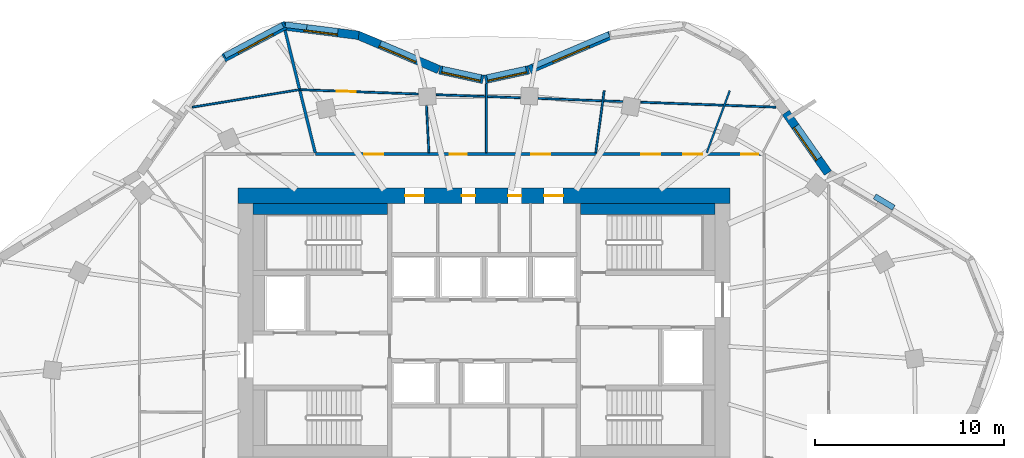
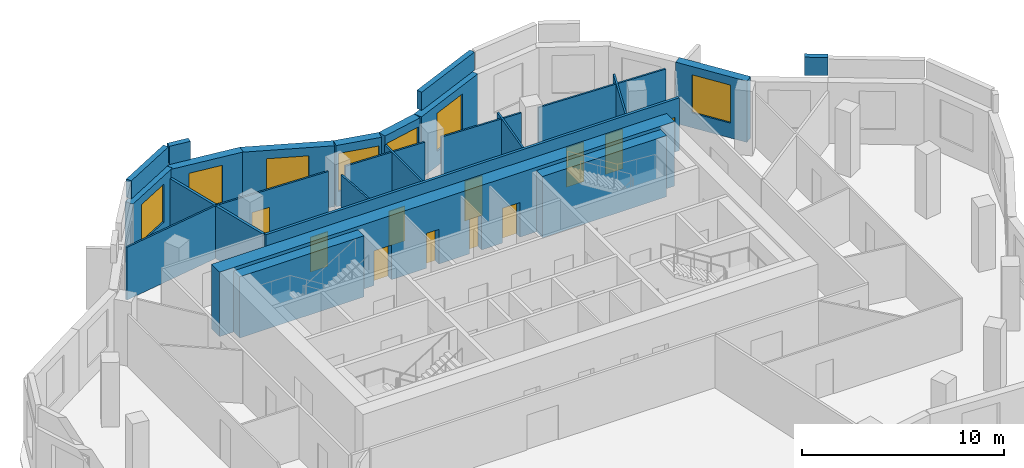
# One storey, part 7 of 9: 25 walls, 11 doors, 7 windows, 18 openings.
"""IFC4 building model written with IfcOpenShell, lengths in metres."""

from ifc_helpers import new_model, si_unit, direction, frame, frame_2d, origin, place, context, subcontext, project, spatial, rectangle, extrude, material, layer, layer_set, type_object, element, fill, save


model = new_model("IFC4")

# Units and contexts
model_context = context("Model", 3, precision=1e-05, world=origin(), true_north=direction((0.0, 1.0)))
body_context = subcontext(model_context, "Body", "Model", "MODEL_VIEW")
ifc_project = project(units=[si_unit("LENGTHUNIT", "METRE"), si_unit("AREAUNIT", "SQUARE_METRE"), si_unit("VOLUMEUNIT", "CUBIC_METRE"), si_unit("PLANEANGLEUNIT", "RADIAN"), si_unit("MASSUNIT", "GRAM", prefix="KILO")], contexts=[model_context])

# Site, building, storey
site_placement = place(None, origin())
site = spatial("IfcSite", under=ifc_project, at=site_placement, CompositionType="ELEMENT")
building_placement = place(site_placement, origin())
building = spatial("IfcBuilding", under=site, at=building_placement, Name="Rubra Terraces Tower", CompositionType="ELEMENT")
storey_placement = place(building_placement, frame((0.0, 0.0, 268.800048828125)))
storey = spatial("IfcBuildingStorey", under=building, at=storey_placement, Name="L66", CompositionType="ELEMENT", Elevation=268.800048828125)

# Wall, opening, window
ifc_material_1 = material(Name="Brick masonry red-brown", Category="masonry")
ifc_layer_1 = layer(ifc_material_1, 0.449951171875)
ifc_layer_set_1 = layer_set([ifc_layer_1], Name="Brick masonry red-brown")
wall_type_1 = type_object("IfcWallType", Name="Brick facade wall 450", PredefinedType="SOLIDWALL", material=ifc_layer_set_1)
wall_1_placement = place(storey_placement, frame((18.16259765625, 12.801025390625, 0.0), z_axis=(0.0, 0.0, 1.0), x_axis=(-0.57296578596, 0.819579287269, 0.0)))
wall_1 = element("IfcWall", 1, at=wall_1_placement, inside=storey, type_object=wall_type_1, Name="Facade wall L66 bay 5", PredefinedType="SOLIDWALL", context=body_context, shape_type="SweptSolid", body=[
    extrude(rectangle(XDim=3.89453125, YDim=0.449951171875, at=frame_2d((1.947265625, 0.0))), origin(), (0.0, 0.0, 1.0), 3.699951171875),
])
opening_1_placement = place(wall_1_placement, frame((0.897216796875, 0.0, 0.89990234375)))
opening_1 = element("IfcOpeningElement", 2, at=opening_1_placement, cuts=wall_1, Name="Opening W1B", PredefinedType="OPENING", context=body_context, shape_type="SweptSolid", body=[
    extrude(rectangle(XDim=2.10009765625, YDim=2.300048828125, at=frame_2d((1.050048828125, 1.14990234375))), frame((0.0, 0.23486328125, 0.0), z_axis=(0.0, -1.0, 0.0), x_axis=(1.0, 0.0, 0.0)), (0.0, 0.0, 1.0), 0.469970703125),
])
ifc_material_2 = material(Name="Clear glass in aluminium frame", Category="aluminium")
window_type_1 = type_object("IfcWindowType", Name="Fixed deep-set window tall storey 2100 x 2300", PartitioningType="SINGLE_PANEL", PredefinedType="WINDOW", material=ifc_material_2)
window_1_placement = place(opening_1_placement, origin())
window_1 = element("IfcWindow", 3, at=window_1_placement, inside=storey, type_object=window_type_1, Name="Window L66 bay 5", OverallHeight=2.300048828125, OverallWidth=2.10009765625, PartitioningType="SINGLE_PANEL", PredefinedType="WINDOW", context=body_context, shape_type="SweptSolid", body=[
    extrude(rectangle(XDim=2.10009765625, YDim=2.300048828125, at=frame_2d((1.050048828125, 1.14990234375))), frame((0.0, 0.135009765625, 0.0), z_axis=(0.0, -1.0, 0.0), x_axis=(1.0, 0.0, 0.0)), (0.0, 0.0, 1.0), 0.06005859375),
])
fill(opening_1, window_1)

wall_2_placement = place(storey_placement, frame((6.68212890625, 20.0859375, 0.0), z_axis=(0.0, 0.0, 1.0), x_axis=(-0.920066650468, -0.391761864781, 0.0)))
wall_2 = element("IfcWall", 4, at=wall_2_placement, inside=storey, type_object=wall_type_1, Name="Facade wall L66 bay 9", PredefinedType="SOLIDWALL", context=body_context, shape_type="SweptSolid", body=[
    extrude(rectangle(XDim=4.65966796875, YDim=0.449951171875, at=frame_2d((2.329833984375, 0.0))), origin(), (0.0, 0.0, 1.0), 3.699951171875),
])
opening_2_placement = place(wall_2_placement, frame((1.27978515625, 0.0, 0.89990234375)))
opening_2 = element("IfcOpeningElement", 5, at=opening_2_placement, cuts=wall_2, Name="Opening W1B", PredefinedType="OPENING", context=body_context, shape_type="SweptSolid", body=[
    extrude(rectangle(XDim=2.10009765625, YDim=2.300048828125, at=frame_2d((1.050048828125, 1.14990234375))), frame((0.0, 0.23486328125, 0.0), z_axis=(0.0, -1.0, 0.0), x_axis=(1.0, 0.0, 0.0)), (0.0, 0.0, 1.0), 0.469970703125),
])
window_2_placement = place(opening_2_placement, origin())
window_2 = element("IfcWindow", 6, at=window_2_placement, inside=storey, type_object=window_type_1, Name="Window L66 bay 9", OverallHeight=2.300048828125, OverallWidth=2.10009765625, PartitioningType="SINGLE_PANEL", PredefinedType="WINDOW", context=body_context, shape_type="SweptSolid", body=[
    extrude(rectangle(XDim=2.10009765625, YDim=2.300048828125, at=frame_2d((1.050048828125, 1.14990234375))), frame((0.0, 0.135009765625, 0.0), z_axis=(0.0, -1.0, 0.0), x_axis=(1.0, 0.0, 0.0)), (0.0, 0.0, 1.0), 0.06005859375),
])
fill(opening_2, window_2)

wall_3_placement = place(storey_placement, frame((2.35498046875, 18.247802734375, 0.0), z_axis=(0.0, 0.0, 1.0), x_axis=(-0.976877755098, -0.213798623933, 0.0)))
wall_3 = element("IfcWall", 7, at=wall_3_placement, inside=storey, type_object=wall_type_1, Name="Facade wall L66 bay 10", PredefinedType="SOLIDWALL", context=body_context, shape_type="SweptSolid", body=[
    extrude(rectangle(XDim=2.361572265625, YDim=0.449951171875, at=frame_2d((1.1806640625, 0.0))), origin(), (0.0, 0.0, 1.0), 3.699951171875),
])
opening_3_placement = place(wall_3_placement, frame((0.130615234375, 0.0, 0.89990234375)))
opening_3 = element("IfcOpeningElement", 8, at=opening_3_placement, cuts=wall_3, Name="Opening W1B", PredefinedType="OPENING", context=body_context, shape_type="SweptSolid", body=[
    extrude(rectangle(XDim=2.10009765625, YDim=2.300048828125, at=frame_2d((1.050048828125, 1.14990234375))), frame((0.0, 0.23486328125, 0.0), z_axis=(0.0, -1.0, 0.0), x_axis=(1.0, 0.0, 0.0)), (0.0, 0.0, 1.0), 0.469970703125),
])
window_3_placement = place(opening_3_placement, origin())
window_3 = element("IfcWindow", 9, at=window_3_placement, inside=storey, type_object=window_type_1, Name="Window L66 bay 10", OverallHeight=2.300048828125, OverallWidth=2.10009765625, PartitioningType="SINGLE_PANEL", PredefinedType="WINDOW", context=body_context, shape_type="SweptSolid", body=[
    extrude(rectangle(XDim=2.10009765625, YDim=2.300048828125, at=frame_2d((1.050048828125, 1.14990234375))), frame((0.0, 0.135009765625, 0.0), z_axis=(0.0, -1.0, 0.0), x_axis=(1.0, 0.0, 0.0)), (0.0, 0.0, 1.0), 0.06005859375),
])
fill(opening_3, window_3)

wall_4_placement = place(storey_placement, frame((-0.048095703125, 17.742919921875, 0.0), z_axis=(0.0, 0.0, 1.0), x_axis=(-0.976877755098, 0.213798623933, 0.0)))
wall_4 = element("IfcWall", 10, at=wall_4_placement, inside=storey, type_object=wall_type_1, Name="Facade wall L66 bay 11", PredefinedType="SOLIDWALL", context=body_context, shape_type="SweptSolid", body=[
    extrude(rectangle(XDim=2.361572265625, YDim=0.449951171875, at=frame_2d((1.1806640625, 0.0))), origin(), (0.0, 0.0, 1.0), 3.699951171875),
])
opening_4_placement = place(wall_4_placement, frame((0.130615234375, 0.0, 0.89990234375)))
opening_4 = element("IfcOpeningElement", 11, at=opening_4_placement, cuts=wall_4, Name="Opening W1B", PredefinedType="OPENING", context=body_context, shape_type="SweptSolid", body=[
    extrude(rectangle(XDim=2.10009765625, YDim=2.300048828125, at=frame_2d((1.050048828125, 1.14990234375))), frame((0.0, 0.23486328125, 0.0), z_axis=(0.0, -1.0, 0.0), x_axis=(1.0, 0.0, 0.0)), (0.0, 0.0, 1.0), 0.469970703125),
])
window_4_placement = place(opening_4_placement, origin())
window_4 = element("IfcWindow", 12, at=window_4_placement, inside=storey, type_object=window_type_1, Name="Window L66 bay 11", OverallHeight=2.300048828125, OverallWidth=2.10009765625, PartitioningType="SINGLE_PANEL", PredefinedType="WINDOW", context=body_context, shape_type="SweptSolid", body=[
    extrude(rectangle(XDim=2.10009765625, YDim=2.300048828125, at=frame_2d((1.050048828125, 1.14990234375))), frame((0.0, 0.135009765625, 0.0), z_axis=(0.0, -1.0, 0.0), x_axis=(1.0, 0.0, 0.0)), (0.0, 0.0, 1.0), 0.06005859375),
])
fill(opening_4, window_4)

wall_5_placement = place(storey_placement, frame((-2.39501953125, 18.260498046875, 0.0), z_axis=(0.0, 0.0, 1.0), x_axis=(-0.920066650468, 0.391761864781, 0.0)))
wall_5 = element("IfcWall", 13, at=wall_5_placement, inside=storey, type_object=wall_type_1, Name="Facade wall L66 bay 12", PredefinedType="SOLIDWALL", context=body_context, shape_type="SweptSolid", body=[
    extrude(rectangle(XDim=4.65966796875, YDim=0.449951171875, at=frame_2d((2.329833984375, 0.0))), origin(), (0.0, 0.0, 1.0), 3.699951171875),
])
opening_5_placement = place(wall_5_placement, frame((1.27978515625, 0.0, 0.89990234375)))
opening_5 = element("IfcOpeningElement", 14, at=opening_5_placement, cuts=wall_5, Name="Opening W1B", PredefinedType="OPENING", context=body_context, shape_type="SweptSolid", body=[
    extrude(rectangle(XDim=2.10009765625, YDim=2.300048828125, at=frame_2d((1.050048828125, 1.14990234375))), frame((0.0, 0.23486328125, 0.0), z_axis=(0.0, -1.0, 0.0), x_axis=(1.0, 0.0, 0.0)), (0.0, 0.0, 1.0), 0.469970703125),
])
window_5_placement = place(opening_5_placement, origin())
window_5 = element("IfcWindow", 15, at=window_5_placement, inside=storey, type_object=window_type_1, Name="Window L66 bay 12", OverallHeight=2.300048828125, OverallWidth=2.10009765625, PartitioningType="SINGLE_PANEL", PredefinedType="WINDOW", context=body_context, shape_type="SweptSolid", body=[
    extrude(rectangle(XDim=2.10009765625, YDim=2.300048828125, at=frame_2d((1.050048828125, 1.14990234375))), frame((0.0, 0.135009765625, 0.0), z_axis=(0.0, -1.0, 0.0), x_axis=(1.0, 0.0, 0.0)), (0.0, 0.0, 1.0), 0.06005859375),
])
fill(opening_5, window_5)

wall_6_placement = place(storey_placement, frame((-6.622314453125, 20.06982421875, 0.0), z_axis=(0.0, 0.0, 1.0), x_axis=(-0.992109407201, 0.125375133674, 0.0)))
wall_6 = element("IfcWall", 16, at=wall_6_placement, inside=storey, type_object=wall_type_1, Name="Facade wall L66 bay 13", PredefinedType="SOLIDWALL", context=body_context, shape_type="SweptSolid", body=[
    extrude(rectangle(XDim=4.03466796875, YDim=0.449951171875, at=frame_2d((2.017333984375, 0.0))), origin(), (0.0, 0.0, 1.0), 3.699951171875),
])
opening_6_placement = place(wall_6_placement, frame((1.117431640625, 0.0, 0.89990234375)))
opening_6 = element("IfcOpeningElement", 17, at=opening_6_placement, cuts=wall_6, Name="Opening W6B", PredefinedType="OPENING", context=body_context, shape_type="SweptSolid", body=[
    extrude(rectangle(XDim=1.800048828125, YDim=2.300048828125, at=frame_2d((0.89990234375, 1.14990234375))), frame((0.0, 0.23486328125, 0.0), z_axis=(0.0, -1.0, 0.0), x_axis=(1.0, 0.0, 0.0)), (0.0, 0.0, 1.0), 0.469970703125),
])
window_type_2 = type_object("IfcWindowType", Name="Fixed deep-set window at wind fin tall storey 1800 x 2300", PartitioningType="SINGLE_PANEL", PredefinedType="WINDOW", material=ifc_material_2)
window_6_placement = place(opening_6_placement, origin())
window_6 = element("IfcWindow", 18, at=window_6_placement, inside=storey, type_object=window_type_2, Name="Window L66 bay 13", OverallHeight=2.300048828125, OverallWidth=1.800048828125, PartitioningType="SINGLE_PANEL", PredefinedType="WINDOW", context=body_context, shape_type="SweptSolid", body=[
    extrude(rectangle(XDim=1.800048828125, YDim=2.300048828125, at=frame_2d((0.89990234375, 1.14990234375))), frame((0.0, 0.135009765625, 0.0), z_axis=(0.0, -1.0, 0.0), x_axis=(1.0, 0.0, 0.0)), (0.0, 0.0, 1.0), 0.06005859375),
])
fill(opening_6, window_6)

wall_7_placement = place(storey_placement, frame((-10.49169921875, 20.60009765625, 0.0), z_axis=(0.0, 0.0, 1.0), x_axis=(-0.883502778071, -0.46842591852, 0.0)))
wall_7 = element("IfcWall", 19, at=wall_7_placement, inside=storey, type_object=wall_type_1, Name="Facade wall L66 bay 14", PredefinedType="SOLIDWALL", context=body_context, shape_type="SweptSolid", body=[
    extrude(rectangle(XDim=3.6884765625, YDim=0.449951171875, at=frame_2d((1.84423828125, 0.0))), origin(), (0.0, 0.0, 1.0), 3.699951171875),
])
opening_7_placement = place(wall_7_placement, frame((0.79443359375, 0.0, 0.89990234375)))
opening_7 = element("IfcOpeningElement", 20, at=opening_7_placement, cuts=wall_7, Name="Opening W1B", PredefinedType="OPENING", context=body_context, shape_type="SweptSolid", body=[
    extrude(rectangle(XDim=2.10009765625, YDim=2.300048828125, at=frame_2d((1.050048828125, 1.14990234375))), frame((0.0, 0.23486328125, 0.0), z_axis=(0.0, -1.0, 0.0), x_axis=(1.0, 0.0, 0.0)), (0.0, 0.0, 1.0), 0.469970703125),
])
window_7_placement = place(opening_7_placement, origin())
window_7 = element("IfcWindow", 21, at=window_7_placement, inside=storey, type_object=window_type_1, Name="Window L66 bay 14", OverallHeight=2.300048828125, OverallWidth=2.10009765625, PartitioningType="SINGLE_PANEL", PredefinedType="WINDOW", context=body_context, shape_type="SweptSolid", body=[
    extrude(rectangle(XDim=2.10009765625, YDim=2.300048828125, at=frame_2d((1.050048828125, 1.14990234375))), frame((0.0, 0.135009765625, 0.0), z_axis=(0.0, -1.0, 0.0), x_axis=(1.0, 0.0, 0.0)), (0.0, 0.0, 1.0), 0.06005859375),
])
fill(opening_7, window_7)

# Walls
ifc_layer_2 = layer(ifc_material_1, 0.300048828125)
ifc_layer_set_2 = layer_set([ifc_layer_2], Name="Brick masonry red-brown")
wall_type_2 = type_object("IfcWallType", Name="Brick parapet 300", PredefinedType="PARAPET", material=ifc_layer_set_2)
wall_8_placement = place(storey_placement, frame((21.631103515625, 10.964599609375, 3.89990234375), z_axis=(0.0, 0.0, 1.0), x_axis=(-0.857953615481, 0.513727158795, 0.0)))
element("IfcWall", 22, at=wall_8_placement, inside=storey, type_object=wall_type_2, Name="Parapet L66 bay 4", PredefinedType="PARAPET", context=body_context, shape_type="SweptSolid", body=[
    extrude(rectangle(XDim=1.168212890625, YDim=0.300048828125, at=frame_2d((0.583984375, 0.0))), origin(), (0.0, 0.0, 1.0), 1.10009765625),
])
wall_9_placement = place(storey_placement, frame((6.586669921875, 20.126953125, 3.89990234375), z_axis=(0.0, 0.0, 1.0), x_axis=(-0.920058392097, -0.39178125929, 0.0)))
element("IfcWall", 23, at=wall_9_placement, inside=storey, type_object=wall_type_2, Name="Parapet L66 bay 9", PredefinedType="PARAPET", context=body_context, shape_type="SweptSolid", body=[
    extrude(rectangle(XDim=4.357177734375, YDim=0.300048828125, at=frame_2d((2.1787109375, 0.0))), origin(), (0.0, 0.0, 1.0), 1.10009765625),
])
wall_10_placement = place(storey_placement, frame((-9.365966796875, 20.4921875, 3.89990234375), z_axis=(0.0, 0.0, 1.0), x_axis=(-0.992101446216, 0.125438113889, 0.0)))
element("IfcWall", 24, at=wall_10_placement, inside=storey, type_object=wall_type_2, Name="Parapet L66 bay 13", PredefinedType="PARAPET", context=body_context, shape_type="SweptSolid", body=[
    extrude(rectangle(XDim=1.134765625, YDim=0.300048828125, at=frame_2d((0.5673828125, 0.0))), origin(), (0.0, 0.0, 1.0), 1.10009765625),
])
wall_11_placement = place(storey_placement, frame((-10.63720703125, 20.60791015625, 3.89990234375), z_axis=(0.0, 0.0, 1.0), x_axis=(-0.88348638041, -0.468456845003, 0.0)))
element("IfcWall", 25, at=wall_11_placement, inside=storey, type_object=wall_type_2, Name="Parapet L66 bay 14", PredefinedType="PARAPET", context=body_context, shape_type="SweptSolid", body=[
    extrude(rectangle(XDim=3.46826171875, YDim=0.300048828125, at=frame_2d((1.734130859375, 0.0))), origin(), (0.0, 0.0, 1.0), 1.10009765625),
])

# Wall, openings, doors
ifc_material_3 = material(Name="Concrete C50", Category="concrete")
ifc_layer_3 = layer(ifc_material_3, 0.800048828125)
ifc_layer_set_3 = layer_set([ifc_layer_3], Name="Concrete C50")
wall_type_3 = type_object("IfcWallType", Name="CORE WALL 800 C50", PredefinedType="SHEAR", material=ifc_layer_set_3)
wall_12_placement = place(storey_placement, frame((-13.0, 11.60009765625, 0.0), z_axis=(0.0, 0.0, 1.0), x_axis=(1.0, 0.0, 0.0)))
wall_12 = element("IfcWall", 26, at=wall_12_placement, inside=storey, type_object=wall_type_3, Name="CORE WALL N L66", PredefinedType="SHEAR", context=body_context, shape_type="SweptSolid", body=[
    extrude(rectangle(XDim=26.0, YDim=0.800048828125, at=frame_2d((13.0, 0.0))), origin(), (0.0, 0.0, 1.0), 3.89990234375),
])
opening_8_placement = place(wall_12_placement, frame((8.824951171875, 0.0, 0.0)))
opening_8 = element("IfcOpeningElement", 27, at=opening_8_placement, cuts=wall_12, Name="Opening L66.C25", PredefinedType="OPENING", context=body_context, shape_type="SweptSolid", body=[
    extrude(rectangle(XDim=1.0, YDim=2.10009765625, at=frame_2d((0.5, 1.050048828125))), frame((0.0, 0.409912109375, 0.0), z_axis=(0.0, -1.0, 0.0), x_axis=(1.0, 0.0, 0.0)), (0.0, 0.0, 1.0), 0.820068359375),
])
opening_9_placement = place(wall_12_placement, frame((11.824951171875, 0.0, 0.0)))
opening_9 = element("IfcOpeningElement", 28, at=opening_9_placement, cuts=wall_12, Name="Opening L66.C26", PredefinedType="OPENING", context=body_context, shape_type="SweptSolid", body=[
    extrude(rectangle(XDim=0.699951171875, YDim=2.10009765625, at=frame_2d((0.35009765625, 1.050048828125))), frame((0.0, 0.409912109375, 0.0), z_axis=(0.0, -1.0, 0.0), x_axis=(1.0, 0.0, 0.0)), (0.0, 0.0, 1.0), 0.820068359375),
])
opening_10_placement = place(wall_12_placement, frame((14.27490234375, 0.0, 0.0)))
opening_10 = element("IfcOpeningElement", 29, at=opening_10_placement, cuts=wall_12, Name="Opening L66.C27", PredefinedType="OPENING", context=body_context, shape_type="SweptSolid", body=[
    extrude(rectangle(XDim=0.699951171875, YDim=2.10009765625, at=frame_2d((0.35009765625, 1.050048828125))), frame((0.0, 0.409912109375, 0.0), z_axis=(0.0, -1.0, 0.0), x_axis=(1.0, 0.0, 0.0)), (0.0, 0.0, 1.0), 0.820068359375),
])
opening_11_placement = place(wall_12_placement, frame((16.175048828125, 0.0, 0.0)))
opening_11 = element("IfcOpeningElement", 30, at=opening_11_placement, cuts=wall_12, Name="Opening L66.C28", PredefinedType="OPENING", context=body_context, shape_type="SweptSolid", body=[
    extrude(rectangle(XDim=1.0, YDim=2.10009765625, at=frame_2d((0.5, 1.050048828125))), frame((0.0, 0.409912109375, 0.0), z_axis=(0.0, -1.0, 0.0), x_axis=(1.0, 0.0, 0.0)), (0.0, 0.0, 1.0), 0.820068359375),
])
ifc_material_4 = material(Name="Painted steel", Category="steel")
door_type_1 = type_object("IfcDoorType", Name="Fire door 1000x2100 single", OperationType="NOTDEFINED", PredefinedType="DOOR", material=ifc_material_4)
door_1_placement = place(opening_8_placement, origin())
door_1 = element("IfcDoor", 31, at=door_1_placement, inside=storey, type_object=door_type_1, Name="Security and building control room door", OperationType="SINGLE_SWING_LEFT", OverallHeight=2.10009765625, OverallWidth=1.0, PredefinedType="DOOR", context=body_context, shape_type="SweptSolid", body=[
    extrude(rectangle(XDim=1.0, YDim=2.10009765625, at=frame_2d((0.5, 1.050048828125))), frame((0.0, 0.02490234375, 0.0), z_axis=(0.0, -1.0, 0.0), x_axis=(1.0, 0.0, 0.0)), (0.0, 0.0, 1.0), 0.050048828125),
])
fill(opening_8, door_1)
door_2_placement = place(opening_11_placement, origin())
door_2 = element("IfcDoor", 32, at=door_2_placement, inside=storey, type_object=door_type_1, Name="Guest pantry door", OperationType="SINGLE_SWING_RIGHT", OverallHeight=2.10009765625, OverallWidth=1.0, PredefinedType="DOOR", context=body_context, shape_type="SweptSolid", body=[
    extrude(rectangle(XDim=1.0, YDim=2.10009765625, at=frame_2d((0.5, 1.050048828125))), frame((0.0, 0.02490234375, 0.0), z_axis=(0.0, -1.0, 0.0), x_axis=(1.0, 0.0, 0.0)), (0.0, 0.0, 1.0), 0.050048828125),
])
fill(opening_11, door_2)
door_type_2 = type_object("IfcDoorType", Name="Riser access door 700x2100 single", OperationType="NOTDEFINED", PredefinedType="DOOR", material=ifc_material_4)
door_3_placement = place(opening_9_placement, origin())
door_3 = element("IfcDoor", 33, at=door_3_placement, inside=storey, type_object=door_type_2, Name="Telecoms room door", OperationType="SINGLE_SWING_RIGHT", OverallHeight=2.10009765625, OverallWidth=0.699951171875, PredefinedType="DOOR", context=body_context, shape_type="SweptSolid", body=[
    extrude(rectangle(XDim=0.699951171875, YDim=2.10009765625, at=frame_2d((0.35009765625, 1.050048828125))), frame((0.0, 0.02490234375, 0.0), z_axis=(0.0, -1.0, 0.0), x_axis=(1.0, 0.0, 0.0)), (0.0, 0.0, 1.0), 0.050048828125),
])
fill(opening_9, door_3)
door_4_placement = place(opening_10_placement, origin())
door_4 = element("IfcDoor", 34, at=door_4_placement, inside=storey, type_object=door_type_2, Name="Water and drainage riser door", OperationType="SINGLE_SWING_LEFT", OverallHeight=2.10009765625, OverallWidth=0.699951171875, PredefinedType="DOOR", context=body_context, shape_type="SweptSolid", body=[
    extrude(rectangle(XDim=0.699951171875, YDim=2.10009765625, at=frame_2d((0.35009765625, 1.050048828125))), frame((0.0, 0.02490234375, 0.0), z_axis=(0.0, -1.0, 0.0), x_axis=(1.0, 0.0, 0.0)), (0.0, 0.0, 1.0), 0.050048828125),
])
fill(opening_10, door_4)

ifc_material_5 = material(Name="Plasterboard on steel stud, mineral wool infill", Category="steel")
ifc_layer_4 = layer(ifc_material_5, 0.14990234375)
ifc_layer_set_4 = layer_set([ifc_layer_4], Name="Plasterboard on steel stud, mineral wool infill")
wall_type_4 = type_object("IfcWallType", Name="CORRIDOR PARTITION 150", PredefinedType="PARTITIONING", material=ifc_layer_set_4)
wall_13_placement = place(storey_placement, frame((14.72509765625, 13.800048828125, 0.0), z_axis=(0.0, 0.0, 1.0), x_axis=(-1.0, 0.0, 0.0)))
wall_13 = element("IfcWall", 35, at=wall_13_placement, inside=storey, type_object=wall_type_4, Name="PARTITION", PredefinedType="PARTITIONING", context=body_context, shape_type="SweptSolid", body=[
    extrude(rectangle(XDim=23.627197265625, YDim=0.14990234375, at=frame_2d((11.8134765625, 0.0))), origin(), (0.0, 0.0, 1.0), 3.197998046875),
])
opening_12_placement = place(wall_13_placement, frame((3.199951171875, 0.0, 0.0)))
opening_12 = element("IfcOpeningElement", 36, at=opening_12_placement, cuts=wall_13, Name="Opening 66-102", PredefinedType="OPENING", context=body_context, shape_type="SweptSolid", body=[
    extrude(rectangle(XDim=1.0, YDim=2.39990234375, at=frame_2d((0.5, 1.199951171875))), frame((0.0, 0.0849609375, 0.0), z_axis=(0.0, -1.0, 0.0), x_axis=(1.0, 0.0, 0.0)), (0.0, 0.0, 1.0), 0.169921875),
])
opening_13_placement = place(wall_13_placement, frame((5.4140625, 0.0, 0.0)))
opening_13 = element("IfcOpeningElement", 37, at=opening_13_placement, cuts=wall_13, Name="Opening 66-103", PredefinedType="OPENING", context=body_context, shape_type="SweptSolid", body=[
    extrude(rectangle(XDim=1.0, YDim=2.39990234375, at=frame_2d((0.5, 1.199951171875))), frame((0.0, 0.0849609375, 0.0), z_axis=(0.0, -1.0, 0.0), x_axis=(1.0, 0.0, 0.0)), (0.0, 0.0, 1.0), 0.169921875),
])
opening_14_placement = place(wall_13_placement, frame((11.220947265625, 0.0, 0.0)))
opening_14 = element("IfcOpeningElement", 38, at=opening_14_placement, cuts=wall_13, Name="Opening 66-104", PredefinedType="OPENING", context=body_context, shape_type="SweptSolid", body=[
    extrude(rectangle(XDim=1.0, YDim=2.39990234375, at=frame_2d((0.5, 1.199951171875))), frame((0.0, 0.0849609375, 0.0), z_axis=(0.0, -1.0, 0.0), x_axis=(1.0, 0.0, 0.0)), (0.0, 0.0, 1.0), 0.169921875),
])
opening_15_placement = place(wall_13_placement, frame((0.25, 0.0, 0.0)))
opening_15 = element("IfcOpeningElement", 39, at=opening_15_placement, cuts=wall_13, Name="Opening 66-115", PredefinedType="OPENING", context=body_context, shape_type="SweptSolid", body=[
    extrude(rectangle(XDim=0.89990234375, YDim=2.10009765625, at=frame_2d((0.449951171875, 1.050048828125))), frame((0.0, 0.0849609375, 0.0), z_axis=(0.0, -1.0, 0.0), x_axis=(1.0, 0.0, 0.0)), (0.0, 0.0, 1.0), 0.169921875),
])
opening_16_placement = place(wall_13_placement, frame((15.64990234375, 0.0, 0.0)))
opening_16 = element("IfcOpeningElement", 40, at=opening_16_placement, cuts=wall_13, Name="Opening 66-116", PredefinedType="OPENING", context=body_context, shape_type="SweptSolid", body=[
    extrude(rectangle(XDim=0.89990234375, YDim=2.10009765625, at=frame_2d((0.449951171875, 1.050048828125))), frame((0.0, 0.0849609375, 0.0), z_axis=(0.0, -1.0, 0.0), x_axis=(1.0, 0.0, 0.0)), (0.0, 0.0, 1.0), 0.169921875),
])
opening_17_placement = place(wall_13_placement, frame((20.050048828125, 0.0, 0.0)))
opening_17 = element("IfcOpeningElement", 41, at=opening_17_placement, cuts=wall_13, Name="Opening 66-117", PredefinedType="OPENING", context=body_context, shape_type="SweptSolid", body=[
    extrude(rectangle(XDim=1.0, YDim=2.10009765625, at=frame_2d((0.5, 1.050048828125))), frame((0.0, 0.0849609375, 0.0), z_axis=(0.0, -1.0, 0.0), x_axis=(1.0, 0.0, 0.0)), (0.0, 0.0, 1.0), 0.169921875),
])
ifc_material_6 = material(Name="Painted timber door leaf", Category="wood")
door_type_3 = type_object("IfcDoorType", Name="BATHROOM DOOR 900 X 2100", OperationType="SINGLE_SWING_LEFT", PredefinedType="DOOR", material=ifc_material_6)
door_5_placement = place(opening_15_placement, origin())
door_5 = element("IfcDoor", 42, at=door_5_placement, inside=storey, type_object=door_type_3, Name="DOOR 66-115", OperationType="SINGLE_SWING_RIGHT", OverallHeight=2.10009765625, OverallWidth=0.89990234375, PredefinedType="DOOR", context=body_context, shape_type="SweptSolid", body=[
    extrude(rectangle(XDim=0.89990234375, YDim=2.10009765625, at=frame_2d((0.449951171875, 1.050048828125))), frame((0.0, 0.02490234375, 0.0), z_axis=(0.0, -1.0, 0.0), x_axis=(1.0, 0.0, 0.0)), (0.0, 0.0, 1.0), 0.050048828125),
])
fill(opening_15, door_5)
door_6_placement = place(opening_16_placement, origin())
door_6 = element("IfcDoor", 43, at=door_6_placement, inside=storey, type_object=door_type_3, Name="DOOR 66-116", OperationType="SINGLE_SWING_RIGHT", OverallHeight=2.10009765625, OverallWidth=0.89990234375, PredefinedType="DOOR", context=body_context, shape_type="SweptSolid", body=[
    extrude(rectangle(XDim=0.89990234375, YDim=2.10009765625, at=frame_2d((0.449951171875, 1.050048828125))), frame((0.0, 0.02490234375, 0.0), z_axis=(0.0, -1.0, 0.0), x_axis=(1.0, 0.0, 0.0)), (0.0, 0.0, 1.0), 0.050048828125),
])
fill(opening_16, door_6)
ifc_material_7 = material(Name="Glazed aluminium meeting door leaf", Category="aluminium")
door_type_4 = type_object("IfcDoorType", Name="MEETING ROOM GLAZED DOOR 1000 X 2400", OperationType="SINGLE_SWING_LEFT", PredefinedType="DOOR", material=ifc_material_7)
door_7_placement = place(opening_12_placement, origin())
door_7 = element("IfcDoor", 44, at=door_7_placement, inside=storey, type_object=door_type_4, Name="DOOR 66-102", OperationType="SINGLE_SWING_RIGHT", OverallHeight=2.39990234375, OverallWidth=1.0, PredefinedType="DOOR", context=body_context, shape_type="SweptSolid", body=[
    extrude(rectangle(XDim=1.0, YDim=2.39990234375, at=frame_2d((0.5, 1.199951171875))), frame((0.0, 0.02490234375, 0.0), z_axis=(0.0, -1.0, 0.0), x_axis=(1.0, 0.0, 0.0)), (0.0, 0.0, 1.0), 0.050048828125),
])
fill(opening_12, door_7)
door_8_placement = place(opening_13_placement, origin())
door_8 = element("IfcDoor", 45, at=door_8_placement, inside=storey, type_object=door_type_4, Name="DOOR 66-103", OperationType="SINGLE_SWING_RIGHT", OverallHeight=2.39990234375, OverallWidth=1.0, PredefinedType="DOOR", context=body_context, shape_type="SweptSolid", body=[
    extrude(rectangle(XDim=1.0, YDim=2.39990234375, at=frame_2d((0.5, 1.199951171875))), frame((0.0, 0.02490234375, 0.0), z_axis=(0.0, -1.0, 0.0), x_axis=(1.0, 0.0, 0.0)), (0.0, 0.0, 1.0), 0.050048828125),
])
fill(opening_13, door_8)
door_9_placement = place(opening_14_placement, origin())
door_9 = element("IfcDoor", 46, at=door_9_placement, inside=storey, type_object=door_type_4, Name="DOOR 66-104", OperationType="SINGLE_SWING_RIGHT", OverallHeight=2.39990234375, OverallWidth=1.0, PredefinedType="DOOR", context=body_context, shape_type="SweptSolid", body=[
    extrude(rectangle(XDim=1.0, YDim=2.39990234375, at=frame_2d((0.5, 1.199951171875))), frame((0.0, 0.02490234375, 0.0), z_axis=(0.0, -1.0, 0.0), x_axis=(1.0, 0.0, 0.0)), (0.0, 0.0, 1.0), 0.050048828125),
])
fill(opening_14, door_9)
door_type_5 = type_object("IfcDoorType", Name="ROOM DOOR 1000 X 2100", OperationType="SINGLE_SWING_LEFT", PredefinedType="DOOR", material=ifc_material_6)
door_10_placement = place(opening_17_placement, origin())
door_10 = element("IfcDoor", 47, at=door_10_placement, inside=storey, type_object=door_type_5, Name="DOOR 66-117", OperationType="SINGLE_SWING_RIGHT", OverallHeight=2.10009765625, OverallWidth=1.0, PredefinedType="DOOR", context=body_context, shape_type="SweptSolid", body=[
    extrude(rectangle(XDim=1.0, YDim=2.10009765625, at=frame_2d((0.5, 1.050048828125))), frame((0.0, 0.02490234375, 0.0), z_axis=(0.0, -1.0, 0.0), x_axis=(1.0, 0.0, 0.0)), (0.0, 0.0, 1.0), 0.050048828125),
])
fill(opening_17, door_10)

# Walls
ifc_material_8 = material(Name="Concrete C40", Category="concrete")
ifc_layer_5 = layer(ifc_material_8, 0.60009765625)
ifc_layer_set_5 = layer_set([ifc_layer_5], Name="Concrete C40")
wall_type_5 = type_object("IfcWallType", Name="Core lining wall 600 concrete", PredefinedType="SOLIDWALL", material=ifc_layer_set_5)
for number, where, z_axis, x_axis, name in (
    (48, (-12.199951171875, 10.89990234375, 0.0), (0.0, 0.0, 1.0), (1.0, 0.0, 0.0), "CORE LINING WALL L66"),
    (49, (12.199951171875, 10.89990234375, 0.0), (0.0, 0.0, 1.0), (-1.0, 0.0, 0.0), "CORE LINING WALL L66"),
):
    element("IfcWall", number, at=place(storey_placement, frame(where, z_axis=z_axis, x_axis=x_axis)), inside=storey, type_object=wall_type_5, Name=name, PredefinedType="SOLIDWALL", context=body_context, shape_type="SweptSolid", body=[
        extrude(rectangle(XDim=7.099853515625, YDim=0.60009765625, at=frame_2d((3.5498046875, 0.0))), origin(), (0.0, 0.0, 1.0), 3.699951171875),
    ])

# Wall, opening, door
ifc_material_9 = material(Name="Plasterboard on steel stud", Category="steel")
ifc_layer_6 = layer(ifc_material_9, 0.10009765625)
ifc_layer_set_6 = layer_set([ifc_layer_6], Name="Plasterboard on steel stud")
wall_type_6 = type_object("IfcWallType", Name="ROOM PARTITION 100", PredefinedType="PARTITIONING", material=ifc_layer_set_6)
wall_14_placement = place(storey_placement, frame((-9.718994140625, 17.199951171875, 0.0), z_axis=(0.0, 0.0, 1.0), x_axis=(0.999327414194, -0.036670413681, 0.0)))
wall_14 = element("IfcWall", 50, at=wall_14_placement, inside=storey, type_object=wall_type_6, Name="PARTITION", PredefinedType="PARTITIONING", context=body_context, shape_type="SweptSolid", body=[
    extrude(rectangle(XDim=6.244873046875, YDim=0.10009765625, at=frame_2d((3.12255859375, 0.0))), origin(), (0.0, 0.0, 1.0), 3.183837890625),
])
opening_18_placement = place(wall_14_placement, frame((1.949951171875, 0.0, 0.0)))
opening_18 = element("IfcOpeningElement", 51, at=opening_18_placement, cuts=wall_14, Name="Opening 66-120", PredefinedType="OPENING", context=body_context, shape_type="SweptSolid", body=[
    extrude(rectangle(XDim=1.0, YDim=2.10009765625, at=frame_2d((0.5, 1.050048828125))), frame((0.0, 0.06005859375, 0.0), z_axis=(0.0, -1.0, 0.0), x_axis=(1.0, 0.0, 0.0)), (0.0, 0.0, 1.0), 0.1201171875),
])
door_11_placement = place(opening_18_placement, origin())
door_11 = element("IfcDoor", 52, at=door_11_placement, inside=storey, type_object=door_type_5, Name="DOOR 66-120", OperationType="SINGLE_SWING_LEFT", OverallHeight=2.10009765625, OverallWidth=1.0, PredefinedType="DOOR", context=body_context, shape_type="SweptSolid", body=[
    extrude(rectangle(XDim=1.0, YDim=2.10009765625, at=frame_2d((0.5, 1.050048828125))), frame((0.0, 0.02490234375, 0.0), z_axis=(0.0, -1.0, 0.0), x_axis=(1.0, 0.0, 0.0)), (0.0, 0.0, 1.0), 0.050048828125),
])
fill(opening_18, door_11)

# Walls
wall_15_placement = place(storey_placement, frame((-2.5341796875, 16.936279296875, 0.0), z_axis=(0.0, 0.0, 1.0), x_axis=(0.999325454289, -0.036723785343, 0.0)))
element("IfcWall", 53, at=wall_15_placement, inside=storey, type_object=wall_type_6, Name="PARTITION", PredefinedType="PARTITIONING", context=body_context, shape_type="SweptSolid", body=[
    extrude(rectangle(XDim=4.4541015625, YDim=0.10009765625, at=frame_2d((2.22705078125, 0.0))), origin(), (0.0, 0.0, 1.0), 3.183837890625),
])
wall_16_placement = place(storey_placement, frame((2.8564453125, 16.73828125, 0.0), z_axis=(0.0, 0.0, 1.0), x_axis=(0.999326380207, -0.03669858066, 0.0)))
element("IfcWall", 54, at=wall_16_placement, inside=storey, type_object=wall_type_6, Name="PARTITION", PredefinedType="PARTITIONING", context=body_context, shape_type="SweptSolid", body=[
    extrude(rectangle(XDim=4.470458984375, YDim=0.10009765625, at=frame_2d((2.2353515625, 0.0))), origin(), (0.0, 0.0, 1.0), 3.183837890625),
])
wall_17_placement = place(storey_placement, frame((8.2744140625, 16.539306640625, 0.0), z_axis=(0.0, 0.0, 1.0), x_axis=(0.99932696712, -0.03668259515, 0.0)))
element("IfcWall", 55, at=wall_17_placement, inside=storey, type_object=wall_type_6, Name="PARTITION", PredefinedType="PARTITIONING", context=body_context, shape_type="SweptSolid", body=[
    extrude(rectangle(XDim=7.134765625, YDim=0.10009765625, at=frame_2d((3.5673828125, 0.0))), origin(), (0.0, 0.0, 1.0), 3.183837890625),
])
wall_18_placement = place(storey_placement, frame((11.760009765625, 13.870361328125, 0.0), z_axis=(0.0, 0.0, 1.0), x_axis=(0.347804845754, 0.937566951887, 0.0)))
element("IfcWall", 56, at=wall_18_placement, inside=storey, type_object=wall_type_6, Name="PARTITION", PredefinedType="PARTITIONING", context=body_context, shape_type="SweptSolid", body=[
    extrude(rectangle(XDim=3.501220703125, YDim=0.10009765625, at=frame_2d((1.75048828125, 0.0))), origin(), (0.0, 0.0, 1.0), 3.183837890625),
])
wall_19_placement = place(storey_placement, frame((5.897705078125, 13.874267578125, 0.0), z_axis=(0.0, 0.0, 1.0), x_axis=(0.13497810615, 0.990848581197, 0.0)))
element("IfcWall", 57, at=wall_19_placement, inside=storey, type_object=wall_type_6, Name="PARTITION", PredefinedType="PARTITIONING", context=body_context, shape_type="SweptSolid", body=[
    extrude(rectangle(XDim=3.306396484375, YDim=0.10009765625, at=frame_2d((1.6533203125, 0.0))), origin(), (0.0, 0.0, 1.0), 3.183837890625),
])
wall_20_placement = place(storey_placement, frame((0.1201171875, 13.875, 0.0), z_axis=(0.0, 0.0, 1.0), x_axis=(0.001272774961, 0.999999190022, 0.0)))
element("IfcWall", 58, at=wall_20_placement, inside=storey, type_object=wall_type_6, Name="PARTITION", PredefinedType="PARTITIONING", context=body_context, shape_type="SweptSolid", body=[
    extrude(rectangle(XDim=3.64453125, YDim=0.10009765625, at=frame_2d((1.822265625, 0.0))), origin(), (0.0, 0.0, 1.0), 3.183837890625),
])
wall_21_placement = place(storey_placement, frame((-2.914306640625, 13.875, 0.0), z_axis=(0.0, 0.0, 1.0), x_axis=(-0.051951735992, 0.998649596769, 0.0)))
element("IfcWall", 59, at=wall_21_placement, inside=storey, type_object=wall_type_6, Name="PARTITION", PredefinedType="PARTITIONING", context=body_context, shape_type="SweptSolid", body=[
    extrude(rectangle(XDim=2.49072265625, YDim=0.10009765625, at=frame_2d((1.245361328125, 0.0))), origin(), (0.0, 0.0, 1.0), 3.183837890625),
])
wall_22_placement = place(storey_placement, frame((-15.404296875, 16.27783203125, 0.0), z_axis=(0.0, 0.0, 1.0), x_axis=(0.986915001918, 0.161241368728, 0.0)))
element("IfcWall", 60, at=wall_22_placement, inside=storey, type_object=wall_type_6, Name="PARTITION", PredefinedType="PARTITIONING", context=body_context, shape_type="SweptSolid", body=[
    extrude(rectangle(XDim=5.718994140625, YDim=0.10009765625, at=frame_2d((2.859375, 0.0))), origin(), (0.0, 0.0, 1.0), 3.183837890625),
])
ifc_layer_7 = layer(ifc_material_9, 0.14990234375)
ifc_layer_set_7 = layer_set([ifc_layer_7], Name="Plasterboard on steel stud")
wall_type_7 = type_object("IfcWallType", Name="ROOM PARTITION 150", PredefinedType="PARTITIONING", material=ifc_layer_set_7)
wall_23_placement = place(storey_placement, frame((-10.510986328125, 20.33056640625, 0.0), z_axis=(0.0, 0.0, 1.0), x_axis=(0.239226174538, -0.970963870294, 0.0)))
element("IfcWall", 61, at=wall_23_placement, inside=storey, type_object=wall_type_7, Name="PARTITION", PredefinedType="PARTITIONING", context=body_context, shape_type="SweptSolid", body=[
    extrude(rectangle(XDim=6.65087890625, YDim=0.14990234375, at=frame_2d((3.325439453125, 0.0))), origin(), (0.0, 0.0, 1.0), 3.183837890625),
])

save(model, "model.ifc")
